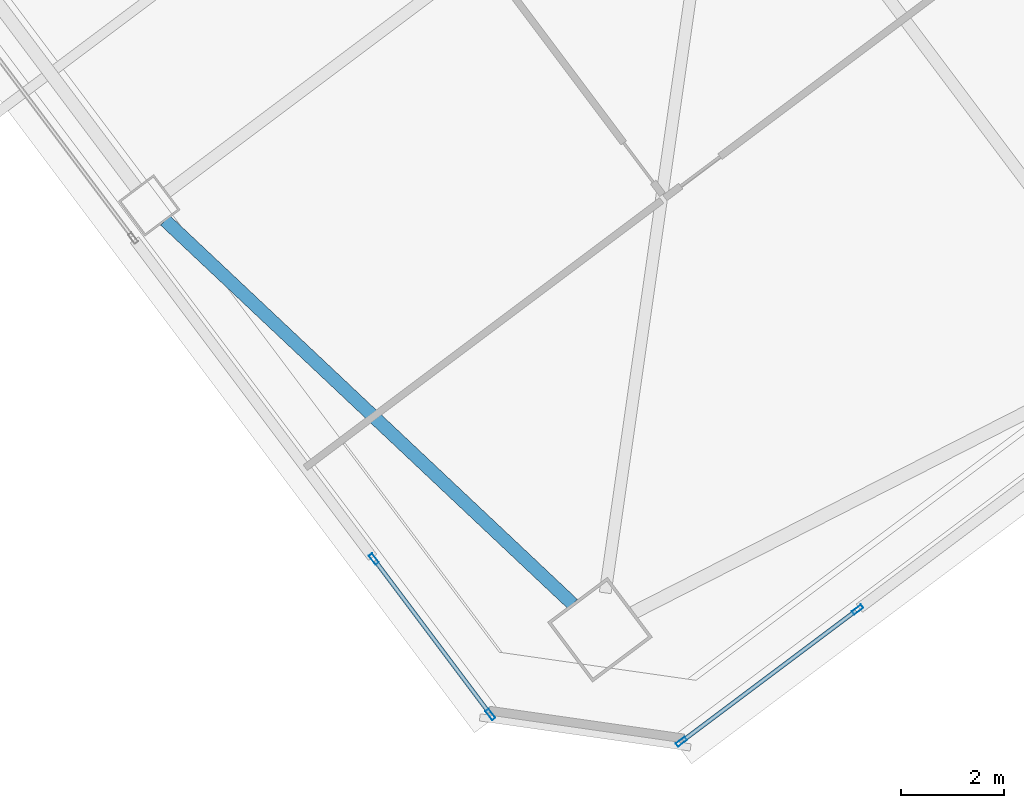
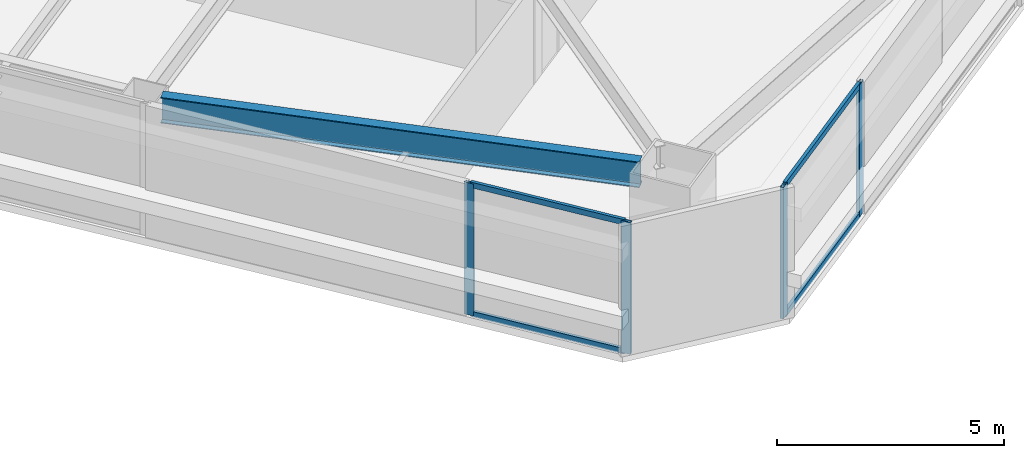
# One storey, part 18 of 47: 8 members, 1 beam, 2 elements without a shape of their own.
"""IFC4 building model written with IfcOpenShell, lengths in metres."""

from ifc_helpers import new_model, si_unit, direction, frame, origin, origin_2d, place, context, subcontext, project, spatial, hollow_rectangle, i_section, extrude, material, material_profile, profile_set, type_object, element, aggregate, save


model = new_model("IFC4")

# Units and contexts
model_context = context("Model", 3, precision=1e-05, world=origin(), true_north=direction((0.0, 1.0)))
body_context = subcontext(model_context, "Body", "Model", "MODEL_VIEW")
ifc_project = project(units=[si_unit("LENGTHUNIT", "METRE"), si_unit("AREAUNIT", "SQUARE_METRE"), si_unit("VOLUMEUNIT", "CUBIC_METRE"), si_unit("PLANEANGLEUNIT", "RADIAN"), si_unit("MASSUNIT", "GRAM", prefix="KILO")], contexts=[model_context])

# Site, building, storey
site_placement = place(None, origin())
site = spatial("IfcSite", under=ifc_project, at=site_placement, CompositionType="ELEMENT")
building_placement = place(site_placement, origin())
building = spatial("IfcBuilding", under=site, at=building_placement, Name="Tashvorn Skyway Center", CompositionType="ELEMENT")
storey_placement = place(building_placement, frame((0.0, 0.0, 81.39990234375)))
storey = spatial("IfcBuildingStorey", under=building, at=storey_placement, Name="L21", CompositionType="ELEMENT", Elevation=81.39990234375)

# Beam
ifc_material_1 = material(Name="Steel ASTM A992 Grade 50", Category="steel")
ifc_material_profile_1 = material_profile(ifc_material_1, i_section(OverallWidth=0.256103515625, OverallDepth=0.693115234375, WebThickness=0.014404296875, FlangeThickness=0.023681640625, at=origin_2d()), Name="W27X114")
ifc_profile_set_1 = profile_set([ifc_material_profile_1], Name="Steel ASTM A992 Grade 50")
beam_type = type_object("IfcBeamType", Name="BM-SPANDREL-W27X114", PredefinedType="SPANDREL", material=ifc_profile_set_1)
beam_placement = place(storey_placement, frame((102.145751953125, 15.842041015625, 3.003662109375), z_axis=(0.728086883893, -0.685484857238, 0.0), x_axis=(0.685484857238, 0.728086883893, 0.0)))
element("IfcBeam", 1, at=beam_placement, inside=storey, type_object=beam_type, Name="Tower 2 L21 Spandrel Beam 12", PredefinedType="SPANDREL", context=body_context, shape_type="SweptSolid", body=[
    extrude(i_section(OverallWidth=0.256103515625, OverallDepth=0.693115234375, WebThickness=0.014404296875, FlangeThickness=0.023681640625, at=origin_2d()), origin(), (0.0, 0.0, 1.0), 10.8369140625),
])

# Curtain wall, members
ifc_material_2 = material(Name="Thermally broken bronze-anodized aluminium 6063-T6", Category="aluminium")
curtain_wall_type = type_object("IfcCurtainWallType", Name="CW-CW-Z2", PredefinedType="NOTDEFINED", material=ifc_material_2)
curtain_wall_1_placement = place(storey_placement, origin())
curtain_wall_1 = element("IfcCurtainWall", 2, at=curtain_wall_1_placement, inside=storey, type_object=curtain_wall_type, Name="Tower 2 L21 South Curtain Wall R Glazing Group 2", PredefinedType="NOTDEFINED")
ifc_material_profile_2 = material_profile(ifc_material_2, hollow_rectangle(XDim=0.080078125, YDim=0.219970703125, WallThickness=0.0048828125, at=origin_2d()), Name="ALU-MULL-80x220")
ifc_profile_set_2 = profile_set([ifc_material_profile_2], Name="Thermally broken bronze-anodized aluminium 6063-T6")
member_type_1 = type_object("IfcMemberType", Name="CWM-CW-Z2", PredefinedType="MULLION", material=ifc_profile_set_2)
member_1_placement = place(storey_placement, frame((115.546630859375, 8.31005859375, 0.0), z_axis=(0.0, 0.0, 1.0), x_axis=(0.599996316206, -0.800002762832, 0.0)))
member_1 = element("IfcMember", 3, at=member_1_placement, type_object=member_type_1, Name="CW-Z2 mullion 1", PredefinedType="MULLION", context=body_context, shape_type="SweptSolid", body=[
    extrude(hollow_rectangle(XDim=0.080078125, YDim=0.219970703125, WallThickness=0.0048828125, at=origin_2d()), origin(), (0.0, 0.0, 1.0), 3.550048828125),
])
member_2_placement = place(storey_placement, frame((112.135986328125, 5.751953125, 0.0), z_axis=(0.0, 0.0, 1.0), x_axis=(0.599996316206, -0.800002762832, 0.0)))
member_2 = element("IfcMember", 4, at=member_2_placement, type_object=member_type_1, Name="CW-Z2 mullion 2", PredefinedType="MULLION", context=body_context, shape_type="SweptSolid", body=[
    extrude(hollow_rectangle(XDim=0.080078125, YDim=0.219970703125, WallThickness=0.0048828125, at=origin_2d()), origin(), (0.0, 0.0, 1.0), 3.550048828125),
])

curtain_wall_2_placement = place(storey_placement, origin())
curtain_wall_2 = element("IfcCurtainWall", 5, at=curtain_wall_2_placement, inside=storey, type_object=curtain_wall_type, Name="Tower 2 L21 West Unitised Curtain Wall Glazing Group 1", PredefinedType="NOTDEFINED")
member_3_placement = place(storey_placement, frame((108.43994140625, 6.280029296875, 0.0), z_axis=(0.0, 0.0, 1.0), x_axis=(-0.799999999998, -0.600000000002, 0.0)))
member_3 = element("IfcMember", 6, at=member_3_placement, type_object=member_type_1, Name="CW-Z2 mullion 1", PredefinedType="MULLION", context=body_context, shape_type="SweptSolid", body=[
    extrude(hollow_rectangle(XDim=0.080078125, YDim=0.219970703125, WallThickness=0.0048828125, at=origin_2d()), origin(), (0.0, 0.0, 1.0), 3.550048828125),
])
member_4_placement = place(storey_placement, frame((106.18408203125, 9.2880859375, 0.0), z_axis=(0.0, 0.0, 1.0), x_axis=(-0.799999999998, -0.600000000002, 0.0)))
member_4 = element("IfcMember", 7, at=member_4_placement, type_object=member_type_1, Name="CW-Z2 mullion 2", PredefinedType="MULLION", context=body_context, shape_type="SweptSolid", body=[
    extrude(hollow_rectangle(XDim=0.080078125, YDim=0.219970703125, WallThickness=0.0048828125, at=origin_2d()), origin(), (0.0, 0.0, 1.0), 3.550048828125),
])

# Member
ifc_material_profile_3 = material_profile(ifc_material_2, hollow_rectangle(XDim=0.080078125, YDim=0.14990234375, WallThickness=0.00439453125, at=origin_2d()), Name="ALU-TRAN-80x150")
ifc_profile_set_3 = profile_set([ifc_material_profile_3], Name="Thermally broken bronze-anodized aluminium 6063-T6")
member_type_2 = type_object("IfcMemberType", Name="CWT-CW-Z2", PredefinedType="USERDEFINED", material=ifc_profile_set_3)
member_5_placement = place(storey_placement, frame((115.5146484375, 8.285888671875, 0.0400390625), z_axis=(-0.8, -0.6, 0.0), x_axis=(0.6, -0.8, 0.0)))
member_5 = element("IfcMember", 8, at=member_5_placement, type_object=member_type_2, Name="CW-Z2 transom 1.1", ObjectType="TRANSOM", PredefinedType="USERDEFINED", context=body_context, shape_type="SweptSolid", body=[
    extrude(hollow_rectangle(XDim=0.080078125, YDim=0.14990234375, WallThickness=0.00439453125, at=origin_2d()), origin(), (0.0, 0.0, 1.0), 4.183349609375),
])

member_6_placement = place(storey_placement, frame((115.5146484375, 8.285888671875, 3.510009765625), z_axis=(-0.8, -0.6, 0.0), x_axis=(0.6, -0.8, 0.0)))
member_6 = element("IfcMember", 9, at=member_6_placement, type_object=member_type_2, Name="CW-Z2 transom 1.2", ObjectType="TRANSOM", PredefinedType="USERDEFINED", context=body_context, shape_type="SweptSolid", body=[
    extrude(hollow_rectangle(XDim=0.080078125, YDim=0.14990234375, WallThickness=0.00439453125, at=origin_2d()), origin(), (0.0, 0.0, 1.0), 4.183349609375),
])

aggregate(curtain_wall_1, [member_1, member_2, member_5, member_6])

member_7_placement = place(storey_placement, frame((108.416015625, 6.31201171875, 0.0400390625), z_axis=(-0.599989385363, 0.800007960868, 0.0), x_axis=(-0.800007960868, -0.599989385363, 0.0)))
member_7 = element("IfcMember", 10, at=member_7_placement, type_object=member_type_2, Name="CW-Z2 transom 1.1", ObjectType="TRANSOM", PredefinedType="USERDEFINED", context=body_context, shape_type="SweptSolid", body=[
    extrude(hollow_rectangle(XDim=0.080078125, YDim=0.14990234375, WallThickness=0.00439453125, at=origin_2d()), origin(), (0.0, 0.0, 1.0), 3.68017578125),
])

member_8_placement = place(storey_placement, frame((108.416015625, 6.31201171875, 3.510009765625), z_axis=(-0.599989385363, 0.800007960868, 0.0), x_axis=(-0.800007960868, -0.599989385363, 0.0)))
member_8 = element("IfcMember", 11, at=member_8_placement, type_object=member_type_2, Name="CW-Z2 transom 1.2", ObjectType="TRANSOM", PredefinedType="USERDEFINED", context=body_context, shape_type="SweptSolid", body=[
    extrude(hollow_rectangle(XDim=0.080078125, YDim=0.14990234375, WallThickness=0.00439453125, at=origin_2d()), origin(), (0.0, 0.0, 1.0), 3.68017578125),
])

aggregate(curtain_wall_2, [member_3, member_4, member_7, member_8])

save(model, "model.ifc")
